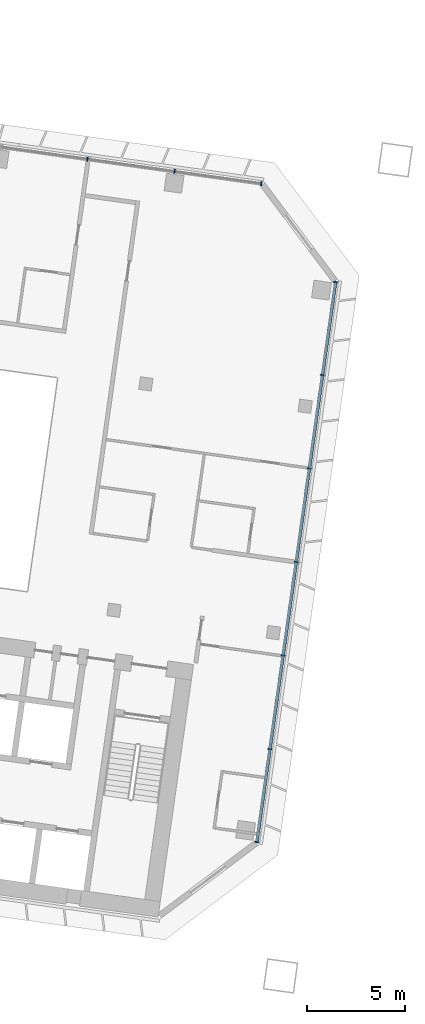
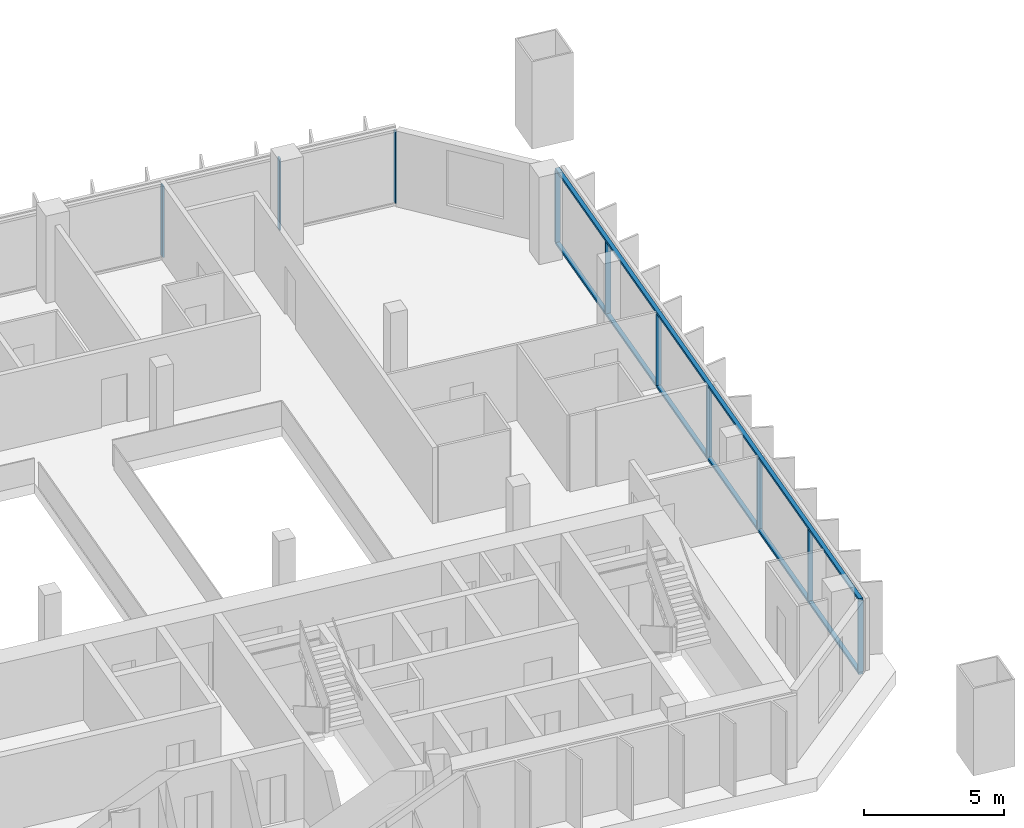
# One storey, part 8 of 34: 12 members, 2 elements without a shape of their own.
"""IFC4 building model written with IfcOpenShell, lengths in metres."""

from ifc_helpers import new_model, si_unit, direction, frame, origin, origin_2d, place, context, subcontext, project, spatial, rectangle, extrude, material, material_profile, profile_set, type_object, element, aggregate, save


model = new_model("IFC4")

# Units and contexts
model_context = context("Model", 3, precision=1e-05, world=origin(), true_north=direction((0.0, 1.0)))
body_context = subcontext(model_context, "Body", "Model", "MODEL_VIEW")
ifc_project = project(units=[si_unit("LENGTHUNIT", "METRE"), si_unit("AREAUNIT", "SQUARE_METRE"), si_unit("VOLUMEUNIT", "CUBIC_METRE"), si_unit("PLANEANGLEUNIT", "RADIAN"), si_unit("MASSUNIT", "GRAM", prefix="KILO")], contexts=[model_context])

# Site, building, storey
site_placement = place(None, origin())
site = spatial("IfcSite", under=ifc_project, at=site_placement, CompositionType="ELEMENT")
building_placement = place(site_placement, origin())
building = spatial("IfcBuilding", under=site, at=building_placement, Name="Mirante Cascada Hotel Towers", CompositionType="ELEMENT")
storey_placement = place(building_placement, frame((0.0, 0.0, 148.1)))
storey = spatial("IfcBuildingStorey", under=building, at=storey_placement, Name="L34", CompositionType="ELEMENT", Elevation=148.1)

# Curtain wall, members
ifc_material_1 = material(Name="Aluminium mullion and transom frame with clear laminated glass", Category="aluminium")
curtain_wall_type_1 = type_object("IfcCurtainWallType", Name="Ribbon curtain wall ECW1", PredefinedType="NOTDEFINED", material=ifc_material_1)
curtain_wall_1_placement = place(storey_placement, origin())
curtain_wall_1 = element("IfcCurtainWall", 1, at=curtain_wall_1_placement, inside=storey, type_object=curtain_wall_type_1, Name="Front ribbon wall T1 L34", PredefinedType="NOTDEFINED")
ifc_material_2 = material(Name="Anodised aluminium extrusion", Category="aluminium")
ifc_material_profile_1 = material_profile(ifc_material_2, rectangle(XDim=0.2, YDim=0.065, at=origin_2d()), Name="ECW1 MULLION 65x200")
ifc_profile_set_1 = profile_set([ifc_material_profile_1], Name="Anodised aluminium extrusion")
member_type_1 = type_object("IfcMemberType", Name="ECW1 mullion 65x200", PredefinedType="MULLION", material=ifc_profile_set_1)
member_1_placement = place(storey_placement, frame((-40.7892, 18.5516, 0.1), z_axis=(0.0, 0.0, 1.0), x_axis=(0.1391731, 0.9902681, 0.0)))
member_1 = element("IfcMember", 2, at=member_1_placement, type_object=member_type_1, Name="ECW1 mullion 13", PredefinedType="MULLION", context=body_context, shape_type="SweptSolid", body=[
    extrude(rectangle(XDim=0.2, YDim=0.065, at=origin_2d()), origin(), (0.0, 0.0, 1.0), 3.1),
])
member_2_placement = place(storey_placement, frame((-36.3417, 17.9265, 0.1), z_axis=(0.0, 0.0, 1.0), x_axis=(0.1391731, 0.9902681, 0.0)))
member_2 = element("IfcMember", 3, at=member_2_placement, type_object=member_type_1, Name="ECW1 mullion 14", PredefinedType="MULLION", context=body_context, shape_type="SweptSolid", body=[
    extrude(rectangle(XDim=0.2, YDim=0.065, at=origin_2d()), origin(), (0.0, 0.0, 1.0), 3.1),
])
member_3_placement = place(storey_placement, frame((-31.9265, 17.306, 0.1), z_axis=(0.0, 0.0, 1.0), x_axis=(0.1391731, 0.9902681, 0.0)))
member_3 = element("IfcMember", 4, at=member_3_placement, type_object=member_type_1, Name="ECW1 mullion 15", PredefinedType="MULLION", context=body_context, shape_type="SweptSolid", body=[
    extrude(rectangle(XDim=0.2, YDim=0.065, at=origin_2d()), origin(), (0.0, 0.0, 1.0), 3.1),
])
aggregate(curtain_wall_1, [member_1, member_2, member_3])

ifc_material_3 = material(Name="Aluminium mullion and transom frame with clear laminated glass", Category="aluminium")
curtain_wall_type_2 = type_object("IfcCurtainWallType", Name="End ribbon curtain wall ECW2", PredefinedType="NOTDEFINED", material=ifc_material_3)
curtain_wall_2_placement = place(storey_placement, origin())
curtain_wall_2 = element("IfcCurtainWall", 5, at=curtain_wall_2_placement, inside=storey, type_object=curtain_wall_type_2, Name="Inner end wall T1 L34", PredefinedType="NOTDEFINED")
ifc_material_4 = material(Name="Anodised aluminium extrusion", Category="aluminium")
ifc_material_profile_2 = material_profile(ifc_material_4, rectangle(XDim=0.2, YDim=0.065, at=origin_2d()), Name="ECW2 MULLION 65x200")
ifc_profile_set_2 = profile_set([ifc_material_profile_2], Name="Anodised aluminium extrusion")
member_type_2 = type_object("IfcMemberType", Name="ECW2 mullion 65x200", PredefinedType="MULLION", material=ifc_profile_set_2)
member_4_placement = place(storey_placement, frame((-28.1437, 12.2861, 0.1), z_axis=(0.0, 0.0, 1.0), x_axis=(0.9902681, -0.1391731, 0.0)))
member_4 = element("IfcMember", 6, at=member_4_placement, type_object=member_type_2, Name="ECW2 mullion 1", PredefinedType="MULLION", context=body_context, shape_type="SweptSolid", body=[
    extrude(rectangle(XDim=0.2, YDim=0.065, at=origin_2d()), origin(), (0.0, 0.0, 1.0), 3.1),
])
member_5_placement = place(storey_placement, frame((-28.809, 7.5524, 0.1), z_axis=(0.0, 0.0, 1.0), x_axis=(0.9902681, -0.1391731, 0.0)))
member_5 = element("IfcMember", 7, at=member_5_placement, type_object=member_type_2, Name="ECW2 mullion 2", PredefinedType="MULLION", context=body_context, shape_type="SweptSolid", body=[
    extrude(rectangle(XDim=0.2, YDim=0.065, at=origin_2d()), origin(), (0.0, 0.0, 1.0), 3.1),
])
member_6_placement = place(storey_placement, frame((-29.4788, 2.7867, 0.1), z_axis=(0.0, 0.0, 1.0), x_axis=(0.9902681, -0.1391731, 0.0)))
member_6 = element("IfcMember", 8, at=member_6_placement, type_object=member_type_2, Name="ECW2 mullion 3", PredefinedType="MULLION", context=body_context, shape_type="SweptSolid", body=[
    extrude(rectangle(XDim=0.2, YDim=0.065, at=origin_2d()), origin(), (0.0, 0.0, 1.0), 3.1),
])
member_7_placement = place(storey_placement, frame((-30.1485, -1.9791, 0.1), z_axis=(0.0, 0.0, 1.0), x_axis=(0.9902681, -0.1391731, 0.0)))
member_7 = element("IfcMember", 9, at=member_7_placement, type_object=member_type_2, Name="ECW2 mullion 4", PredefinedType="MULLION", context=body_context, shape_type="SweptSolid", body=[
    extrude(rectangle(XDim=0.2, YDim=0.065, at=origin_2d()), origin(), (0.0, 0.0, 1.0), 3.1),
])
member_8_placement = place(storey_placement, frame((-30.8183, -6.7449, 0.1), z_axis=(0.0, 0.0, 1.0), x_axis=(0.9902681, -0.1391731, 0.0)))
member_8 = element("IfcMember", 10, at=member_8_placement, type_object=member_type_2, Name="ECW2 mullion 5", PredefinedType="MULLION", context=body_context, shape_type="SweptSolid", body=[
    extrude(rectangle(XDim=0.2, YDim=0.065, at=origin_2d()), origin(), (0.0, 0.0, 1.0), 3.1),
])
member_9_placement = place(storey_placement, frame((-31.4881, -11.5107, 0.1), z_axis=(0.0, 0.0, 1.0), x_axis=(0.9902681, -0.1391731, 0.0)))
member_9 = element("IfcMember", 11, at=member_9_placement, type_object=member_type_2, Name="ECW2 mullion 6", PredefinedType="MULLION", context=body_context, shape_type="SweptSolid", body=[
    extrude(rectangle(XDim=0.2, YDim=0.065, at=origin_2d()), origin(), (0.0, 0.0, 1.0), 3.1),
])
member_10_placement = place(storey_placement, frame((-32.1534, -16.2443, 0.1), z_axis=(0.0, 0.0, 1.0), x_axis=(0.9902681, -0.1391731, 0.0)))
member_10 = element("IfcMember", 12, at=member_10_placement, type_object=member_type_2, Name="ECW2 mullion 7", PredefinedType="MULLION", context=body_context, shape_type="SweptSolid", body=[
    extrude(rectangle(XDim=0.2, YDim=0.065, at=origin_2d()), origin(), (0.0, 0.0, 1.0), 3.1),
])
ifc_material_5 = material(Name="Anodised aluminium extrusion", Category="aluminium")
ifc_material_profile_3 = material_profile(ifc_material_5, rectangle(XDim=0.16, YDim=0.1, at=origin_2d()), Name="ECW2 TRANSOM 100x160")
ifc_profile_set_3 = profile_set([ifc_material_profile_3], Name="Anodised aluminium extrusion")
member_type_3 = type_object("IfcMemberType", Name="ECW2 transom 100x160", PredefinedType="USERDEFINED", material=ifc_profile_set_3)
member_11_placement = place(storey_placement, frame((-28.1392, 12.3182, 0.05), z_axis=(-0.1391723, -0.9902682, 0.0), x_axis=(0.9902682, -0.1391723, 0.0)))
member_11 = element("IfcMember", 13, at=member_11_placement, type_object=member_type_3, Name="ECW2 sill transom", ObjectType="TRANSOM", PredefinedType="USERDEFINED", context=body_context, shape_type="SweptSolid", body=[
    extrude(rectangle(XDim=0.16, YDim=0.1, at=origin_2d()), origin(), (0.0, 0.0, 1.0), 28.8757),
])
member_12_placement = place(storey_placement, frame((-28.1392, 12.3182, 3.25), z_axis=(-0.1391723, -0.9902682, 0.0), x_axis=(0.9902682, -0.1391723, 0.0)))
member_12 = element("IfcMember", 14, at=member_12_placement, type_object=member_type_3, Name="ECW2 head transom", ObjectType="TRANSOM", PredefinedType="USERDEFINED", context=body_context, shape_type="SweptSolid", body=[
    extrude(rectangle(XDim=0.16, YDim=0.1, at=origin_2d()), origin(), (0.0, 0.0, 1.0), 28.8757),
])
aggregate(curtain_wall_2, [member_11, member_12, member_4, member_5, member_6, member_7, member_8, member_9, member_10])

save(model, "model.ifc")
